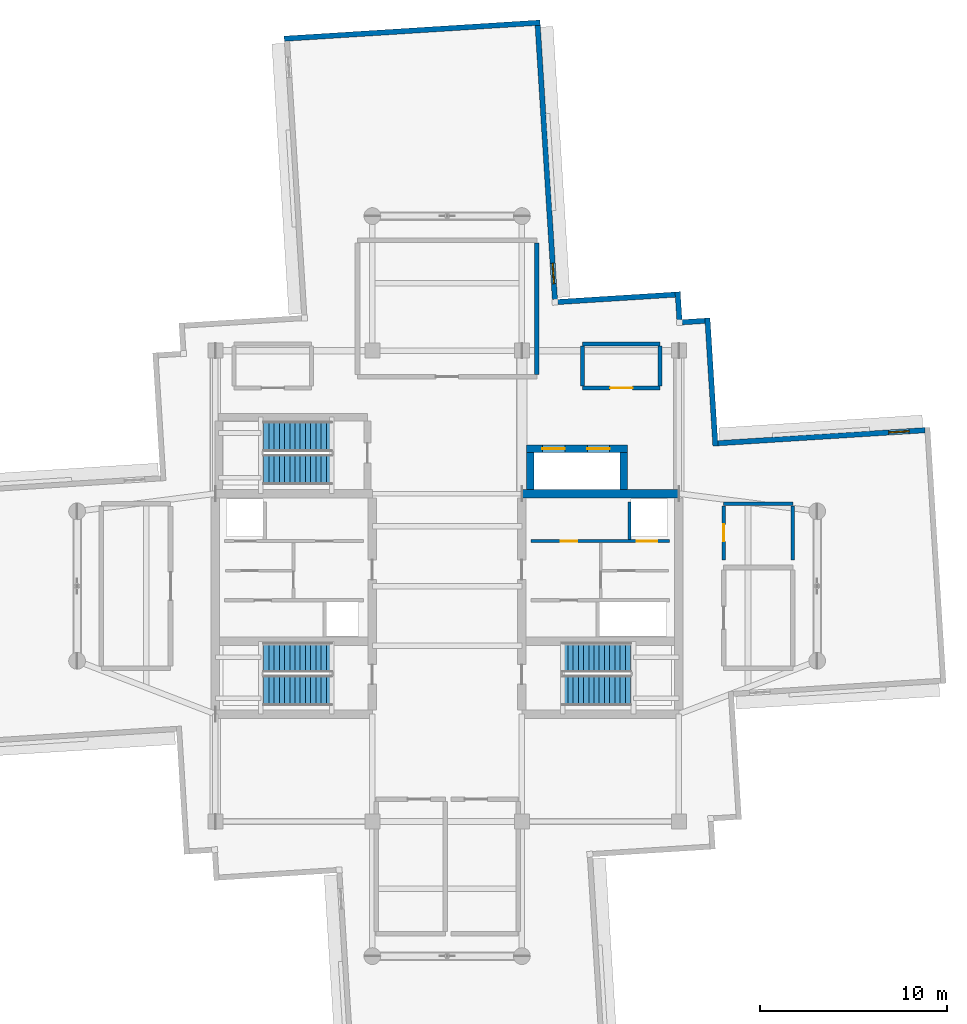
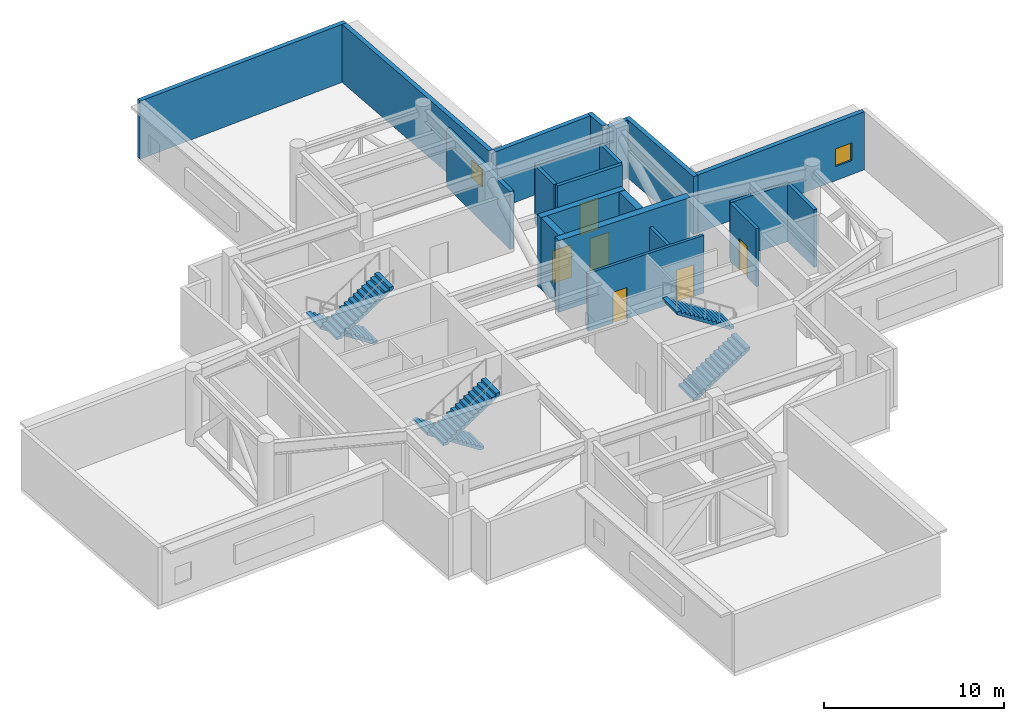
# One storey, part 10 of 14: 21 walls, 6 doors, 6 stair flights, 2 windows, 8 openings, 3 elements without a shape of their own.
"""IFC4 building model written with IfcOpenShell, lengths in metres."""

from ifc_helpers import new_model, si_unit, direction, frame, frame_2d, origin, place, context, subcontext, project, spatial, polyline, rectangle, outline, extrude, material, layer, layer_set, type_object, element, fill, aggregate, save


model = new_model("IFC4")

# Units and contexts
model_context = context("Model", 3, precision=1e-05, world=origin(), true_north=direction((0.0, 1.0)))
body_context = subcontext(model_context, "Body", "Model", "MODEL_VIEW")
ifc_project = project(units=[si_unit("LENGTHUNIT", "METRE"), si_unit("AREAUNIT", "SQUARE_METRE"), si_unit("VOLUMEUNIT", "CUBIC_METRE"), si_unit("PLANEANGLEUNIT", "RADIAN"), si_unit("MASSUNIT", "GRAM", prefix="KILO")], contexts=[model_context])

# Site, building, storey
site_placement = place(None, origin())
site = spatial("IfcSite", under=ifc_project, at=site_placement, CompositionType="ELEMENT")
building_placement = place(site_placement, origin())
building = spatial("IfcBuilding", under=site, at=building_placement, Name="Qingluan Cross Belvedere", CompositionType="ELEMENT")
storey_placement = place(building_placement, frame((0.0, 0.0, 288.89990234375)))
storey = spatial("IfcBuildingStorey", under=building, at=storey_placement, Name="L72", CompositionType="ELEMENT", Elevation=288.89990234375)

# Walls
ifc_material_1 = material(Name="Concrete C50", Category="concrete")
ifc_layer_1 = layer(ifc_material_1, 0.449951171875, Name="CoreShearWall_450")
ifc_layer_set_1 = layer_set([ifc_layer_1], Name="Concrete C50")
wall_type_1 = type_object("IfcWallType", Name="CoreShearWall_450", PredefinedType="SHEAR", material=ifc_layer_set_1)
wall_1_placement = place(storey_placement, frame((4.0, 4.949951171875, 0.0), z_axis=(0.0, 0.0, 1.0), x_axis=(1.0, 0.0, 0.0)))
element("IfcWall", 1, at=wall_1_placement, inside=storey, type_object=wall_type_1, Name="Split core E shear wall L72-N", PredefinedType="SHEAR", context=body_context, shape_type="SweptSolid", body=[
    extrude(rectangle(XDim=8.39990234375, YDim=0.449951171875, at=frame_2d((4.199951171875, 0.0))), origin(), (0.0, 0.0, 1.0), 4.85009765625),
])
wall_2_placement = place(storey_placement, frame((4.449951171875, 5.179931640625, 0.0), z_axis=(0.0, 0.0, 1.0), x_axis=(0.0, 1.0, 0.0)))
element("IfcWall", 2, at=wall_2_placement, inside=storey, type_object=wall_type_1, Name="Express shuttle core wall L72-W", PredefinedType="SHEAR", context=body_context, shape_type="SweptSolid", body=[
    extrude(rectangle(XDim=1.9599609375, YDim=0.39990234375, at=frame_2d((0.97998046875, 0.0))), origin(), (0.0, 0.0, 1.0), 4.85009765625),
])

# Wall, openings, doors
wall_3_placement = place(storey_placement, frame((4.25, 7.35009765625, 0.0), z_axis=(0.0, 0.0, 1.0), x_axis=(1.0, 0.0, 0.0)))
wall_3 = element("IfcWall", 3, at=wall_3_placement, inside=storey, type_object=wall_type_1, Name="Express shuttle core wall L72-N", PredefinedType="SHEAR", context=body_context, shape_type="SweptSolid", body=[
    extrude(rectangle(XDim=5.39990234375, YDim=0.39990234375, at=frame_2d((2.699951171875, 0.0))), origin(), (0.0, 0.0, 1.0), 4.85009765625),
])
opening_1_placement = place(wall_3_placement, frame((0.85009765625, 0.0, 0.0)))
opening_1 = element("IfcOpeningElement", 4, at=opening_1_placement, cuts=wall_3, Name="Opening LD-12", PredefinedType="OPENING", context=body_context, shape_type="SweptSolid", body=[
    extrude(rectangle(XDim=1.199951171875, YDim=2.199951171875, at=frame_2d((0.60009765625, 1.10009765625))), frame((0.0, 0.2099609375, 0.0), z_axis=(0.0, -1.0, 0.0), x_axis=(1.0, 0.0, 0.0)), (0.0, 0.0, 1.0), 0.419921875),
])
opening_2_placement = place(wall_3_placement, frame((3.25, 0.0, 0.0)))
opening_2 = element("IfcOpeningElement", 5, at=opening_2_placement, cuts=wall_3, Name="Opening LD-12", PredefinedType="OPENING", context=body_context, shape_type="SweptSolid", body=[
    extrude(rectangle(XDim=1.199951171875, YDim=2.199951171875, at=frame_2d((0.60009765625, 1.10009765625))), frame((0.0, 0.2099609375, 0.0), z_axis=(0.0, -1.0, 0.0), x_axis=(1.0, 0.0, 0.0)), (0.0, 0.0, 1.0), 0.419921875),
])
ifc_material_2 = material(Name="Bronze-anodised stainless steel lift landing door", Category="steel")
door_type_1 = type_object("IfcDoorType", Name="ExpressLiftSlidingDoor_1200", OperationType="DOUBLE_DOOR_SLIDING", PredefinedType="DOOR", material=ifc_material_2)
door_1_placement = place(opening_1_placement, origin())
door_1 = element("IfcDoor", 6, at=door_1_placement, inside=storey, type_object=door_type_1, Name="Express shuttle landing sliding door LPX1 L72", OperationType="DOUBLE_DOOR_SLIDING", OverallHeight=2.199951171875, OverallWidth=1.199951171875, PredefinedType="DOOR", context=body_context, shape_type="SweptSolid", body=[
    extrude(rectangle(XDim=1.199951171875, YDim=2.199951171875, at=frame_2d((0.60009765625, 1.10009765625))), frame((0.0, 0.02490234375, 0.0), z_axis=(0.0, -1.0, 0.0), x_axis=(1.0, 0.0, 0.0)), (0.0, 0.0, 1.0), 0.050048828125),
])
fill(opening_1, door_1)
door_2_placement = place(opening_2_placement, origin())
door_2 = element("IfcDoor", 7, at=door_2_placement, inside=storey, type_object=door_type_1, Name="Express shuttle landing sliding door LPX2 L72", OperationType="DOUBLE_DOOR_SLIDING", OverallHeight=2.199951171875, OverallWidth=1.199951171875, PredefinedType="DOOR", context=body_context, shape_type="SweptSolid", body=[
    extrude(rectangle(XDim=1.199951171875, YDim=2.199951171875, at=frame_2d((0.60009765625, 1.10009765625))), frame((0.0, 0.02490234375, 0.0), z_axis=(0.0, -1.0, 0.0), x_axis=(1.0, 0.0, 0.0)), (0.0, 0.0, 1.0), 0.050048828125),
])
fill(opening_2, door_2)

# Wall
wall_4_placement = place(storey_placement, frame((9.449951171875, 5.179931640625, 0.0), z_axis=(0.0, 0.0, 1.0), x_axis=(0.0, 1.0, 0.0)))
element("IfcWall", 8, at=wall_4_placement, inside=storey, type_object=wall_type_1, Name="Express shuttle core wall L72-E", PredefinedType="SHEAR", context=body_context, shape_type="SweptSolid", body=[
    extrude(rectangle(XDim=1.9599609375, YDim=0.39990234375, at=frame_2d((0.97998046875, 0.0))), origin(), (0.0, 0.0, 1.0), 4.85009765625),
])

# Wall, opening, door
ifc_material_3 = material(Name="Gypsum plasterboard on steel stud acoustic partition", Category="steel")
ifc_layer_2 = layer(ifc_material_3, 0.159912109375, Name="CorridorPartition_160")
ifc_layer_set_2 = layer_set([ifc_layer_2], Name="Gypsum plasterboard on steel stud acoustic partition")
wall_type_2 = type_object("IfcWallType", Name="CorridorPartition_160", PredefinedType="PARTITIONING", material=ifc_layer_set_2)
wall_5_placement = place(storey_placement, frame((7.25, 10.60009765625, 0.0), z_axis=(0.0, 0.0, 1.0), x_axis=(1.0, 0.0, 0.0)))
wall_5 = element("IfcWall", 9, at=wall_5_placement, inside=storey, type_object=wall_type_2, Name="Partition L72:refuge_ne:S", PredefinedType="PARTITIONING", context=body_context, shape_type="SweptSolid", body=[
    extrude(rectangle(XDim=4.14990234375, YDim=0.219970703125, at=frame_2d((2.074951171875, 0.0))), origin(), (0.0, 0.0, 1.0), 3.920166015625),
])
opening_3_placement = place(wall_5_placement, frame((1.47509765625, 0.0, 0.0)))
opening_3 = element("IfcOpeningElement", 10, at=opening_3_placement, cuts=wall_5, Name="Opening FD-A12", PredefinedType="OPENING", context=body_context, shape_type="SweptSolid", body=[
    extrude(rectangle(XDim=1.199951171875, YDim=2.14990234375, at=frame_2d((0.60009765625, 1.074951171875))), frame((0.0, 0.119873046875, 0.0), z_axis=(0.0, -1.0, 0.0), x_axis=(1.0, 0.0, 0.0)), (0.0, 0.0, 1.0), 0.239990234375),
])
ifc_material_4 = material(Name="Insulated steel Class A fire door", Category="steel")
door_type_2 = type_object("IfcDoorType", Name="RefugeCompartmentDoor_FDA", OperationType="NOTDEFINED", PredefinedType="DOOR", material=ifc_material_4)
door_3_placement = place(opening_3_placement, origin())
door_3 = element("IfcDoor", 11, at=door_3_placement, inside=storey, type_object=door_type_2, Name="High-zone fire refuge bay NE L72 door", OperationType="SINGLE_SWING_RIGHT", OverallHeight=2.14990234375, OverallWidth=1.199951171875, PredefinedType="DOOR", context=body_context, shape_type="SweptSolid", body=[
    extrude(rectangle(XDim=1.199951171875, YDim=2.14990234375, at=frame_2d((0.60009765625, 1.074951171875))), frame((0.0, 0.02490234375, 0.0), z_axis=(0.0, -1.0, 0.0), x_axis=(1.0, 0.0, 0.0)), (0.0, 0.0, 1.0), 0.050048828125),
])
fill(opening_3, door_3)

# Walls
wall_6_placement = place(storey_placement, frame((7.25, 12.949951171875, 0.0), z_axis=(0.0, 0.0, 1.0), x_axis=(1.0, 0.0, 0.0)))
element("IfcWall", 12, at=wall_6_placement, inside=storey, type_object=wall_type_2, Name="Partition L72:refuge_ne:N", PredefinedType="PARTITIONING", context=body_context, shape_type="SweptSolid", body=[
    extrude(rectangle(XDim=4.14990234375, YDim=0.219970703125, at=frame_2d((2.074951171875, 0.0))), origin(), (0.0, 0.0, 1.0), 3.920166015625),
])
for number, where, z_axis, x_axis, name in (
    (13, (7.25, 10.715087890625, 0.0), (0.0, 0.0, 1.0), (0.0, 1.0, 0.0), "Partition L72:refuge_ne:W"),
    (14, (11.39990234375, 10.715087890625, 0.0), (0.0, 0.0, 1.0), (0.0, 1.0, 0.0), "Partition L72:refuge_ne:E"),
):
    element("IfcWall", number, at=place(storey_placement, frame(where, z_axis=z_axis, x_axis=x_axis)), inside=storey, type_object=wall_type_2, Name=name, PredefinedType="PARTITIONING", context=body_context, shape_type="SweptSolid", body=[
        extrude(rectangle(XDim=2.119873046875, YDim=0.219970703125, at=frame_2d((1.06005859375, 0.0))), origin(), (0.0, 0.0, 1.0), 3.920166015625),
    ])
wall_7_placement = place(storey_placement, frame((14.800048828125, 4.39990234375, 0.0), z_axis=(0.0, 0.0, 1.0), x_axis=(1.0, 0.0, 0.0)))
element("IfcWall", 15, at=wall_7_placement, inside=storey, type_object=wall_type_2, Name="Partition L72:bms_plant:N", PredefinedType="PARTITIONING", context=body_context, shape_type="SweptSolid", body=[
    extrude(rectangle(XDim=3.699951171875, YDim=0.199951171875, at=frame_2d((1.85009765625, 0.0))), origin(), (0.0, 0.0, 1.0), 3.920166015625),
])

# Wall, opening, door
wall_8_placement = place(storey_placement, frame((14.800048828125, 1.405029296875, 0.0), z_axis=(0.0, 0.0, 1.0), x_axis=(0.0, 1.0, 0.0)))
wall_8 = element("IfcWall", 16, at=wall_8_placement, inside=storey, type_object=wall_type_2, Name="Partition L72:bms_plant:W", PredefinedType="PARTITIONING", context=body_context, shape_type="SweptSolid", body=[
    extrude(rectangle(XDim=2.889892578125, YDim=0.199951171875, at=frame_2d((1.44482421875, 0.0))), origin(), (0.0, 0.0, 1.0), 3.920166015625),
])
opening_4_placement = place(wall_8_placement, frame((0.9951171875, 0.0, 0.0)))
opening_4 = element("IfcOpeningElement", 17, at=opening_4_placement, cuts=wall_8, Name="Opening FD-B09", PredefinedType="OPENING", context=body_context, shape_type="SweptSolid", body=[
    extrude(rectangle(XDim=0.89990234375, YDim=2.14990234375, at=frame_2d((0.449951171875, 1.074951171875))), frame((0.0, 0.10986328125, 0.0), z_axis=(0.0, -1.0, 0.0), x_axis=(1.0, 0.0, 0.0)), (0.0, 0.0, 1.0), 0.219970703125),
])
ifc_material_5 = material(Name="Steel Class B control room fire door", Category="steel")
door_type_3 = type_object("IfcDoorType", Name="ControlServiceFireDoor_FDB", OperationType="NOTDEFINED", PredefinedType="DOOR", material=ifc_material_5)
door_4_placement = place(opening_4_placement, origin())
door_4 = element("IfcDoor", 18, at=door_4_placement, inside=storey, type_object=door_type_3, Name="High-zone emergency power control room L72 door", OperationType="SINGLE_SWING_RIGHT", OverallHeight=2.14990234375, OverallWidth=0.89990234375, PredefinedType="DOOR", context=body_context, shape_type="SweptSolid", body=[
    extrude(rectangle(XDim=0.89990234375, YDim=2.14990234375, at=frame_2d((0.449951171875, 1.074951171875))), frame((0.0, 0.02490234375, 0.0), z_axis=(0.0, -1.0, 0.0), x_axis=(1.0, 0.0, 0.0)), (0.0, 0.0, 1.0), 0.050048828125),
])
fill(opening_4, door_4)

# Walls
wall_9_placement = place(storey_placement, frame((18.5, 1.405029296875, 0.0), z_axis=(0.0, 0.0, 1.0), x_axis=(0.0, 1.0, 0.0)))
element("IfcWall", 19, at=wall_9_placement, inside=storey, type_object=wall_type_2, Name="Partition L72:bms_plant:E", PredefinedType="PARTITIONING", context=body_context, shape_type="SweptSolid", body=[
    extrude(rectangle(XDim=2.889892578125, YDim=0.199951171875, at=frame_2d((1.44482421875, 0.0))), origin(), (0.0, 0.0, 1.0), 3.920166015625),
])
ifc_material_6 = material(Name="Concrete C40", Category="concrete")
ifc_layer_3 = layer(ifc_material_6, 0.300048828125, Name="FireCompartmentWall_300")
ifc_layer_set_3 = layer_set([ifc_layer_3], Name="Concrete C40")
wall_type_3 = type_object("IfcWallType", Name="FireCompartmentWall_300", PredefinedType="SOLIDWALL", material=ifc_layer_set_3)
wall_10_placement = place(storey_placement, frame((4.800048828125, 11.330078125, 0.0), z_axis=(0.0, 0.0, 1.0), x_axis=(0.0, 1.0, 0.0)))
element("IfcWall", 20, at=wall_10_placement, inside=storey, type_object=wall_type_3, Name="Partition L72:refuge_n:E", PredefinedType="SOLIDWALL", context=body_context, shape_type="SweptSolid", body=[
    extrude(rectangle(XDim=7.0400390625, YDim=0.25, at=frame_2d((3.52001953125, 0.0))), origin(), (0.0, 0.0, 1.0), 3.920166015625),
])

# Wall, opening, window
ifc_material_7 = material(Name="Precast concrete C45", Category="concrete")
ifc_layer_4 = layer(ifc_material_7, 0.280029296875, Name="PrecastFacadeWall_280")
ifc_layer_set_4 = layer_set([ifc_layer_4], Name="Precast concrete C45")
wall_type_4 = type_object("IfcWallType", Name="PrecastFacadeWall_280", PredefinedType="STANDARD", material=ifc_layer_set_4)
wall_11_placement = place(storey_placement, frame((25.566650390625, 8.341796875, 0.0), z_axis=(0.0, 0.0, 1.0), x_axis=(-0.998026474727, -0.062794551863, 0.0)))
wall_11 = element("IfcWall", 21, at=wall_11_placement, inside=storey, type_object=wall_type_4, Name="Facade wall L72-EB", PredefinedType="STANDARD", context=body_context, shape_type="SweptSolid", body=[
    extrude(rectangle(XDim=11.10009765625, YDim=0.280029296875, at=frame_2d((5.550048828125, 0.0))), origin(), (0.0, 0.0, 1.0), 3.93017578125),
])
opening_5_placement = place(wall_11_placement, frame((0.85009765625, 0.0, 0.949951171875)))
opening_5 = element("IfcOpeningElement", 22, at=opening_5_placement, cuts=wall_11, Name="Opening W-07", PredefinedType="OPENING", context=body_context, shape_type="SweptSolid", body=[
    extrude(rectangle(XDim=1.10009765625, YDim=1.199951171875, at=frame_2d((0.550048828125, 0.60009765625))), frame((0.0, 0.14990234375, 0.0), z_axis=(0.0, -1.0, 0.0), x_axis=(1.0, 0.0, 0.0)), (0.0, 0.0, 1.0), 0.300048828125),
])
ifc_material_8 = material(Name="Thermally broken triple Low-E glass in aluminium frame", Category="aluminium")
window_type = type_object("IfcWindowType", Name="RefugeSmokeWin_1100x1200", PartitioningType="SINGLE_PANEL", PredefinedType="WINDOW", material=ifc_material_8)
window_1_placement = place(opening_5_placement, origin())
window_1 = element("IfcWindow", 23, at=window_1_placement, inside=storey, type_object=window_type, Name="Refuge operable smoke window L72-EB", OverallHeight=1.199951171875, OverallWidth=1.10009765625, PartitioningType="SINGLE_PANEL", PredefinedType="WINDOW", context=body_context, shape_type="SweptSolid", body=[
    extrude(rectangle(XDim=1.10009765625, YDim=1.199951171875, at=frame_2d((0.550048828125, 0.60009765625))), frame((0.0, 0.030029296875, 0.0), z_axis=(0.0, -1.0, 0.0), x_axis=(1.0, 0.0, 0.0)), (0.0, 0.0, 1.0), 0.06005859375),
])
fill(opening_5, window_1)

wall_12_placement = place(storey_placement, frame((5.7685546875, 15.33251953125, 0.0), z_axis=(0.0, 0.0, 1.0), x_axis=(-0.062779465852, 0.998027423805, 0.0)))
wall_12 = element("IfcWall", 24, at=wall_12_placement, inside=storey, type_object=wall_type_4, Name="Facade wall L72-NA", PredefinedType="STANDARD", context=body_context, shape_type="SweptSolid", body=[
    extrude(rectangle(XDim=14.699951171875, YDim=0.280029296875, at=frame_2d((7.35009765625, 0.0))), origin(), (0.0, 0.0, 1.0), 3.93017578125),
])
opening_6_placement = place(wall_12_placement, frame((0.85009765625, 0.0, 0.949951171875)))
opening_6 = element("IfcOpeningElement", 25, at=opening_6_placement, cuts=wall_12, Name="Opening W-07", PredefinedType="OPENING", context=body_context, shape_type="SweptSolid", body=[
    extrude(rectangle(XDim=1.10009765625, YDim=1.199951171875, at=frame_2d((0.550048828125, 0.60009765625))), frame((0.0, 0.14990234375, 0.0), z_axis=(0.0, -1.0, 0.0), x_axis=(1.0, 0.0, 0.0)), (0.0, 0.0, 1.0), 0.300048828125),
])
window_2_placement = place(opening_6_placement, origin())
window_2 = element("IfcWindow", 26, at=window_2_placement, inside=storey, type_object=window_type, Name="Refuge operable smoke window L72-NA", OverallHeight=1.199951171875, OverallWidth=1.10009765625, PartitioningType="SINGLE_PANEL", PredefinedType="WINDOW", context=body_context, shape_type="SweptSolid", body=[
    extrude(rectangle(XDim=1.10009765625, YDim=1.199951171875, at=frame_2d((0.550048828125, 0.60009765625))), frame((0.0, 0.030029296875, 0.0), z_axis=(0.0, -1.0, 0.0), x_axis=(1.0, 0.0, 0.0)), (0.0, 0.0, 1.0), 0.06005859375),
])
fill(opening_6, window_2)

# Walls
wall_13_placement = place(storey_placement, frame((4.9765625, 30.152099609375, 0.0), z_axis=(0.0, 0.0, 1.0), x_axis=(-0.998026318072, -0.062797041623, 0.0)))
element("IfcWall", 27, at=wall_13_placement, inside=storey, type_object=wall_type_4, Name="Arm tip precast facade wall L72-N", PredefinedType="STANDARD", context=body_context, shape_type="SweptSolid", body=[
    extrude(rectangle(XDim=13.719970703125, YDim=0.280029296875, at=frame_2d((6.85986328125, 0.0))), origin(), (0.0, 0.0, 1.0), 3.93017578125),
])
wall_14_placement = place(storey_placement, frame((14.357666015625, 7.496337890625, 0.0), z_axis=(0.0, 0.0, 1.0), x_axis=(-0.062779317195, 0.998027433156, 0.0)))
element("IfcWall", 28, at=wall_14_placement, inside=storey, type_object=wall_type_4, Name="Corner wall L72-NE1", PredefinedType="STANDARD", context=body_context, shape_type="SweptSolid", body=[
    extrude(rectangle(XDim=6.85986328125, YDim=0.280029296875, at=frame_2d((3.429931640625, 0.0))), origin(), (0.0, 0.0, 1.0), 3.93017578125),
])
wall_15_placement = place(storey_placement, frame((13.7958984375, 14.1943359375, 0.0), z_axis=(0.0, 0.0, 1.0), x_axis=(-0.998023660242, -0.06283926796, 0.0)))
element("IfcWall", 29, at=wall_15_placement, inside=storey, type_object=wall_type_4, Name="Corner wall L72-NE2", PredefinedType="STANDARD", context=body_context, shape_type="SweptSolid", body=[
    extrude(rectangle(XDim=1.219970703125, YDim=0.280029296875, at=frame_2d((0.60986328125, 0.0))), origin(), (0.0, 0.0, 1.0), 3.93017578125),
])
wall_16_placement = place(storey_placement, frame((12.429931640625, 14.24853515625, 0.0), z_axis=(0.0, 0.0, 1.0), x_axis=(-0.062824119533, 0.998024613927, 0.0)))
element("IfcWall", 30, at=wall_16_placement, inside=storey, type_object=wall_type_4, Name="Corner wall L72-NE3", PredefinedType="STANDARD", context=body_context, shape_type="SweptSolid", body=[
    extrude(rectangle(XDim=1.5, YDim=0.280029296875, at=frame_2d((0.75, 0.0))), origin(), (0.0, 0.0, 1.0), 3.93017578125),
])
wall_17_placement = place(storey_placement, frame((12.20458984375, 15.59716796875, 0.0), z_axis=(0.0, 0.0, 1.0), x_axis=(-0.998024885752, -0.062819801181, 0.0)))
element("IfcWall", 31, at=wall_17_placement, inside=storey, type_object=wall_type_4, Name="Corner wall L72-NE4", PredefinedType="STANDARD", context=body_context, shape_type="SweptSolid", body=[
    extrude(rectangle(XDim=6.2998046875, YDim=0.280029296875, at=frame_2d((3.14990234375, 0.0))), origin(), (0.0, 0.0, 1.0), 3.93017578125),
])

# Wall, openings, doors
ifc_material_9 = material(Name="Concrete C40", Category="concrete")
ifc_layer_5 = layer(ifc_material_9, 0.219970703125, Name="ShaftEnclosureWall_250")
ifc_layer_set_5 = layer_set([ifc_layer_5], Name="Concrete C40")
wall_type_5 = type_object("IfcWallType", Name="ShaftEnclosureWall_250", PredefinedType="SOLIDWALL", material=ifc_layer_set_5)
wall_18_placement = place(storey_placement, frame((4.47998046875, 2.409912109375, 0.0), z_axis=(0.0, 0.0, 1.0), x_axis=(1.0, 0.0, 0.0)))
wall_18 = element("IfcWall", 32, at=wall_18_placement, inside=storey, type_object=wall_type_5, Name="Core-E north hoistway wall L72", PredefinedType="SOLIDWALL", context=body_context, shape_type="SweptSolid", body=[
    extrude(rectangle(XDim=7.419921875, YDim=0.179931640625, at=frame_2d((3.7099609375, 0.0))), origin(), (0.0, 0.0, 1.0), 3.920166015625),
])
opening_7_placement = place(wall_18_placement, frame((5.669921875, 0.0, 0.0)))
opening_7 = element("IfcOpeningElement", 33, at=opening_7_placement, cuts=wall_18, Name="Opening LD-11", PredefinedType="OPENING", context=body_context, shape_type="SweptSolid", body=[
    extrude(rectangle(XDim=1.10009765625, YDim=2.14990234375, at=frame_2d((0.550048828125, 1.074951171875))), frame((0.0, 0.099853515625, 0.0), z_axis=(0.0, -1.0, 0.0), x_axis=(1.0, 0.0, 0.0)), (0.0, 0.0, 1.0), 0.199951171875),
])
opening_8_placement = place(wall_18_placement, frame((1.60009765625, 0.0, 0.0)))
opening_8 = element("IfcOpeningElement", 34, at=opening_8_placement, cuts=wall_18, Name="Opening FD-B10", PredefinedType="OPENING", context=body_context, shape_type="SweptSolid", body=[
    extrude(rectangle(XDim=0.8798828125, YDim=2.10009765625, at=frame_2d((0.43994140625, 1.050048828125))), frame((0.0, 0.099853515625, 0.0), z_axis=(0.0, -1.0, 0.0), x_axis=(1.0, 0.0, 0.0)), (0.0, 0.0, 1.0), 0.199951171875),
])
ifc_material_10 = material(Name="Brushed stainless steel centre-opening lift landing door", Category="steel")
door_type_4 = type_object("IfcDoorType", Name="LiftLandingSlidingDoor_1100", OperationType="DOUBLE_DOOR_SLIDING", PredefinedType="DOOR", material=ifc_material_10)
door_5_placement = place(opening_7_placement, origin())
door_5 = element("IfcDoor", 35, at=door_5_placement, inside=storey, type_object=door_type_4, Name="Lift landing sliding door FL2 L72", OperationType="DOUBLE_DOOR_SLIDING", OverallHeight=2.14990234375, OverallWidth=1.10009765625, PredefinedType="DOOR", context=body_context, shape_type="SweptSolid", body=[
    extrude(rectangle(XDim=1.10009765625, YDim=2.14990234375, at=frame_2d((0.550048828125, 1.074951171875))), frame((0.0, 0.02490234375, 0.0), z_axis=(0.0, -1.0, 0.0), x_axis=(1.0, 0.0, 0.0)), (0.0, 0.0, 1.0), 0.050048828125),
])
fill(opening_7, door_5)
ifc_material_11 = material(Name="Steel Class B service fire door", Category="steel")
door_type_5 = type_object("IfcDoorType", Name="RiserServiceFireDoor_FDB", OperationType="NOTDEFINED", PredefinedType="DOOR", material=ifc_material_11)
door_6_placement = place(opening_8_placement, origin())
door_6 = element("IfcDoor", 36, at=door_6_placement, inside=storey, type_object=door_type_5, Name="Pantry room door E L72", OperationType="SINGLE_SWING_RIGHT", OverallHeight=2.10009765625, OverallWidth=0.8798828125, PredefinedType="DOOR", context=body_context, shape_type="SweptSolid", body=[
    extrude(rectangle(XDim=0.8798828125, YDim=2.10009765625, at=frame_2d((0.43994140625, 1.050048828125))), frame((0.0, 0.02490234375, 0.0), z_axis=(0.0, -1.0, 0.0), x_axis=(1.0, 0.0, 0.0)), (0.0, 0.0, 1.0), 0.050048828125),
])
fill(opening_8, door_6)

# Wall
wall_19_placement = place(storey_placement, frame((9.760009765625, 2.5, 0.0), z_axis=(0.0, 0.0, 1.0), x_axis=(0.0, 1.0, 0.0)))
element("IfcWall", 37, at=wall_19_placement, inside=storey, type_object=wall_type_5, Name="Hoistway enclosure divider FL2W L72", PredefinedType="SOLIDWALL", context=body_context, shape_type="SweptSolid", body=[
    extrude(rectangle(XDim=1.989990234375, YDim=0.179931640625, at=frame_2d((0.9951171875, 0.0))), origin(), (0.0, 0.0, 1.0), 3.920166015625),
])

# Stair, stair flights
ifc_material_12 = material(Name="Concrete C40", Category="concrete")
stair_type = type_object("IfcStairType", Name="CoreDoglegStair_1620", PredefinedType="HALF_TURN_STAIR", material=ifc_material_12)
stair_1_placement = place(storey_placement, origin())
stair_1 = element("IfcStair", 38, at=stair_1_placement, inside=storey, type_object=stair_type, Name="L72 ST1", PredefinedType="HALF_TURN_STAIR")
ifc_material_13 = material(Name="Concrete C40", Category="concrete")
ifc_layer_6 = layer(ifc_material_13, 0.179931640625, Name="StairFlight_RC180")
ifc_layer_set_6 = layer_set([ifc_layer_6], Name="Concrete C40")
stair_flight_type = type_object("IfcStairFlightType", Name="StairFlight_RC180", PredefinedType="STRAIGHT", material=ifc_layer_set_6)
stair_flight_1_placement = place(storey_placement, frame((-6.179931640625, -3.81005859375, 0.0), z_axis=(0.0, 0.0, 1.0), x_axis=(-1.0, 0.0, 0.0)))
stair_flight_1 = element("IfcStairFlight", 39, at=stair_flight_1_placement, type_object=stair_flight_type, Name="ST1 flight 1", NumberOfRisers=14, NumberOfTreads=13, PredefinedType="STRAIGHT", RiserHeight=0.182142857, TreadLength=0.28, context=body_context, shape_type="SweptSolid", body=[
    extrude(outline(polyline([(0.0, 0.0), (0.0, 0.18212890625), (0.280029296875, 0.18212890625), (0.280029296875, 0.3642578125), (0.56005859375, 0.3642578125), (0.56005859375, 0.54638671875), (0.840087890625, 0.54638671875), (0.840087890625, 0.728515625), (1.1201171875, 0.728515625), (1.1201171875, 0.91064453125), (1.39990234375, 0.91064453125), (1.39990234375, 1.0927734375), (1.679931640625, 1.0927734375), (1.679931640625, 1.27490234375), (1.9599609375, 1.27490234375), (1.9599609375, 1.45703125), (2.239990234375, 1.45703125), (2.239990234375, 1.639404296875), (2.52001953125, 1.639404296875), (2.52001953125, 1.821533203125), (2.800048828125, 1.821533203125), (2.800048828125, 2.003662109375), (3.080078125, 2.003662109375), (3.080078125, 2.185791015625), (3.360107421875, 2.185791015625), (3.360107421875, 2.367919921875), (3.639892578125, 2.367919921875), (3.639892578125, 2.550048828125), (3.639892578125, 2.18896484375), (0.27490234375, 0.0), (0.0, 0.0)])), frame((0.0, 0.81005859375, 0.0), z_axis=(0.0, -1.0, 0.0), x_axis=(1.0, 0.0, 0.0)), (0.0, 0.0, 1.0), 1.6201171875),
])
stair_flight_2_placement = place(storey_placement, frame((-9.820068359375, -5.590087890625, 2.550048828125), z_axis=(0.0, 0.0, 1.0), x_axis=(1.0, 0.0, 0.0)))
stair_flight_2 = element("IfcStairFlight", 40, at=stair_flight_2_placement, type_object=stair_flight_type, Name="ST1 flight 2", NumberOfRisers=14, NumberOfTreads=13, PredefinedType="STRAIGHT", RiserHeight=0.182142857, TreadLength=0.28, context=body_context, shape_type="SweptSolid", body=[
    extrude(outline(polyline([(0.0, 0.0), (0.0, 0.18212890625), (0.280029296875, 0.18212890625), (0.280029296875, 0.3642578125), (0.56005859375, 0.3642578125), (0.56005859375, 0.54638671875), (0.840087890625, 0.54638671875), (0.840087890625, 0.728515625), (1.1201171875, 0.728515625), (1.1201171875, 0.91064453125), (1.39990234375, 0.91064453125), (1.39990234375, 1.0927734375), (1.679931640625, 1.0927734375), (1.679931640625, 1.27490234375), (1.9599609375, 1.27490234375), (1.9599609375, 1.45703125), (2.239990234375, 1.45703125), (2.239990234375, 1.639404296875), (2.52001953125, 1.639404296875), (2.52001953125, 1.821533203125), (2.800048828125, 1.821533203125), (2.800048828125, 2.003662109375), (3.080078125, 2.003662109375), (3.080078125, 2.185791015625), (3.360107421875, 2.185791015625), (3.360107421875, 2.367919921875), (3.639892578125, 2.367919921875), (3.639892578125, 2.550048828125), (3.639892578125, 2.18896484375), (0.27490234375, 0.0), (0.0, 0.0)])), frame((0.0, 0.81005859375, 0.0), z_axis=(0.0, -1.0, 0.0), x_axis=(1.0, 0.0, 0.0)), (0.0, 0.0, 1.0), 1.6201171875),
])
aggregate(stair_1, [stair_flight_1, stair_flight_2])

stair_2_placement = place(storey_placement, origin())
stair_2 = element("IfcStair", 41, at=stair_2_placement, inside=storey, type_object=stair_type, Name="L72 ST2", PredefinedType="HALF_TURN_STAIR")
stair_flight_3_placement = place(storey_placement, frame((6.179931640625, -5.590087890625, 0.0), z_axis=(0.0, 0.0, 1.0), x_axis=(1.0, 0.0, 0.0)))
stair_flight_3 = element("IfcStairFlight", 42, at=stair_flight_3_placement, type_object=stair_flight_type, Name="ST2 flight 1", NumberOfRisers=14, NumberOfTreads=13, PredefinedType="STRAIGHT", RiserHeight=0.182142857, TreadLength=0.28, context=body_context, shape_type="SweptSolid", body=[
    extrude(outline(polyline([(0.0, 0.0), (0.0, 0.18212890625), (0.280029296875, 0.18212890625), (0.280029296875, 0.3642578125), (0.56005859375, 0.3642578125), (0.56005859375, 0.54638671875), (0.840087890625, 0.54638671875), (0.840087890625, 0.728515625), (1.1201171875, 0.728515625), (1.1201171875, 0.91064453125), (1.39990234375, 0.91064453125), (1.39990234375, 1.0927734375), (1.679931640625, 1.0927734375), (1.679931640625, 1.27490234375), (1.9599609375, 1.27490234375), (1.9599609375, 1.45703125), (2.239990234375, 1.45703125), (2.239990234375, 1.639404296875), (2.52001953125, 1.639404296875), (2.52001953125, 1.821533203125), (2.800048828125, 1.821533203125), (2.800048828125, 2.003662109375), (3.080078125, 2.003662109375), (3.080078125, 2.185791015625), (3.360107421875, 2.185791015625), (3.360107421875, 2.367919921875), (3.639892578125, 2.367919921875), (3.639892578125, 2.550048828125), (3.639892578125, 2.18896484375), (0.27490234375, 0.0), (0.0, 0.0)])), frame((0.0, 0.81005859375, 0.0), z_axis=(0.0, -1.0, 0.0), x_axis=(1.0, 0.0, 0.0)), (0.0, 0.0, 1.0), 1.6201171875),
])
stair_flight_4_placement = place(storey_placement, frame((9.820068359375, -3.81005859375, 2.550048828125), z_axis=(0.0, 0.0, 1.0), x_axis=(-1.0, 0.0, 0.0)))
stair_flight_4 = element("IfcStairFlight", 43, at=stair_flight_4_placement, type_object=stair_flight_type, Name="ST2 flight 2", NumberOfRisers=14, NumberOfTreads=13, PredefinedType="STRAIGHT", RiserHeight=0.182142857, TreadLength=0.28, context=body_context, shape_type="SweptSolid", body=[
    extrude(outline(polyline([(0.0, 0.0), (0.0, 0.18212890625), (0.280029296875, 0.18212890625), (0.280029296875, 0.3642578125), (0.56005859375, 0.3642578125), (0.56005859375, 0.54638671875), (0.840087890625, 0.54638671875), (0.840087890625, 0.728515625), (1.1201171875, 0.728515625), (1.1201171875, 0.91064453125), (1.39990234375, 0.91064453125), (1.39990234375, 1.0927734375), (1.679931640625, 1.0927734375), (1.679931640625, 1.27490234375), (1.9599609375, 1.27490234375), (1.9599609375, 1.45703125), (2.239990234375, 1.45703125), (2.239990234375, 1.639404296875), (2.52001953125, 1.639404296875), (2.52001953125, 1.821533203125), (2.800048828125, 1.821533203125), (2.800048828125, 2.003662109375), (3.080078125, 2.003662109375), (3.080078125, 2.185791015625), (3.360107421875, 2.185791015625), (3.360107421875, 2.367919921875), (3.639892578125, 2.367919921875), (3.639892578125, 2.550048828125), (3.639892578125, 2.18896484375), (0.27490234375, 0.0), (0.0, 0.0)])), frame((0.0, 0.81005859375, 0.0), z_axis=(0.0, -1.0, 0.0), x_axis=(1.0, 0.0, 0.0)), (0.0, 0.0, 1.0), 1.6201171875),
])
aggregate(stair_2, [stair_flight_3, stair_flight_4])

stair_3_placement = place(storey_placement, origin())
stair_3 = element("IfcStair", 44, at=stair_3_placement, inside=storey, type_object=stair_type, Name="L72 ST3", PredefinedType="HALF_TURN_STAIR")
stair_flight_5_placement = place(storey_placement, frame((-6.179931640625, 8.010009765625, 0.0), z_axis=(0.0, 0.0, 1.0), x_axis=(-1.0, 0.0, 0.0)))
stair_flight_5 = element("IfcStairFlight", 45, at=stair_flight_5_placement, type_object=stair_flight_type, Name="ST3 flight 1", NumberOfRisers=14, NumberOfTreads=13, PredefinedType="STRAIGHT", RiserHeight=0.182142857, TreadLength=0.28, context=body_context, shape_type="SweptSolid", body=[
    extrude(outline(polyline([(0.0, 0.0), (0.0, 0.18212890625), (0.280029296875, 0.18212890625), (0.280029296875, 0.3642578125), (0.56005859375, 0.3642578125), (0.56005859375, 0.54638671875), (0.840087890625, 0.54638671875), (0.840087890625, 0.728515625), (1.1201171875, 0.728515625), (1.1201171875, 0.91064453125), (1.39990234375, 0.91064453125), (1.39990234375, 1.0927734375), (1.679931640625, 1.0927734375), (1.679931640625, 1.27490234375), (1.9599609375, 1.27490234375), (1.9599609375, 1.45703125), (2.239990234375, 1.45703125), (2.239990234375, 1.639404296875), (2.52001953125, 1.639404296875), (2.52001953125, 1.821533203125), (2.800048828125, 1.821533203125), (2.800048828125, 2.003662109375), (3.080078125, 2.003662109375), (3.080078125, 2.185791015625), (3.360107421875, 2.185791015625), (3.360107421875, 2.367919921875), (3.639892578125, 2.367919921875), (3.639892578125, 2.550048828125), (3.639892578125, 2.18896484375), (0.27490234375, 0.0), (0.0, 0.0)])), frame((0.0, 0.81005859375, 0.0), z_axis=(0.0, -1.0, 0.0), x_axis=(1.0, 0.0, 0.0)), (0.0, 0.0, 1.0), 1.6201171875),
])
stair_flight_6_placement = place(storey_placement, frame((-9.820068359375, 6.22998046875, 2.550048828125), z_axis=(0.0, 0.0, 1.0), x_axis=(1.0, 0.0, 0.0)))
stair_flight_6 = element("IfcStairFlight", 46, at=stair_flight_6_placement, type_object=stair_flight_type, Name="ST3 flight 2", NumberOfRisers=14, NumberOfTreads=13, PredefinedType="STRAIGHT", RiserHeight=0.182142857, TreadLength=0.28, context=body_context, shape_type="SweptSolid", body=[
    extrude(outline(polyline([(0.0, 0.0), (0.0, 0.18212890625), (0.280029296875, 0.18212890625), (0.280029296875, 0.3642578125), (0.56005859375, 0.3642578125), (0.56005859375, 0.54638671875), (0.840087890625, 0.54638671875), (0.840087890625, 0.728515625), (1.1201171875, 0.728515625), (1.1201171875, 0.91064453125), (1.39990234375, 0.91064453125), (1.39990234375, 1.0927734375), (1.679931640625, 1.0927734375), (1.679931640625, 1.27490234375), (1.9599609375, 1.27490234375), (1.9599609375, 1.45703125), (2.239990234375, 1.45703125), (2.239990234375, 1.639404296875), (2.52001953125, 1.639404296875), (2.52001953125, 1.821533203125), (2.800048828125, 1.821533203125), (2.800048828125, 2.003662109375), (3.080078125, 2.003662109375), (3.080078125, 2.185791015625), (3.360107421875, 2.185791015625), (3.360107421875, 2.367919921875), (3.639892578125, 2.367919921875), (3.639892578125, 2.550048828125), (3.639892578125, 2.18896484375), (0.27490234375, 0.0), (0.0, 0.0)])), frame((0.0, 0.81005859375, 0.0), z_axis=(0.0, -1.0, 0.0), x_axis=(1.0, 0.0, 0.0)), (0.0, 0.0, 1.0), 1.6201171875),
])
aggregate(stair_3, [stair_flight_5, stair_flight_6])

save(model, "model.ifc")
